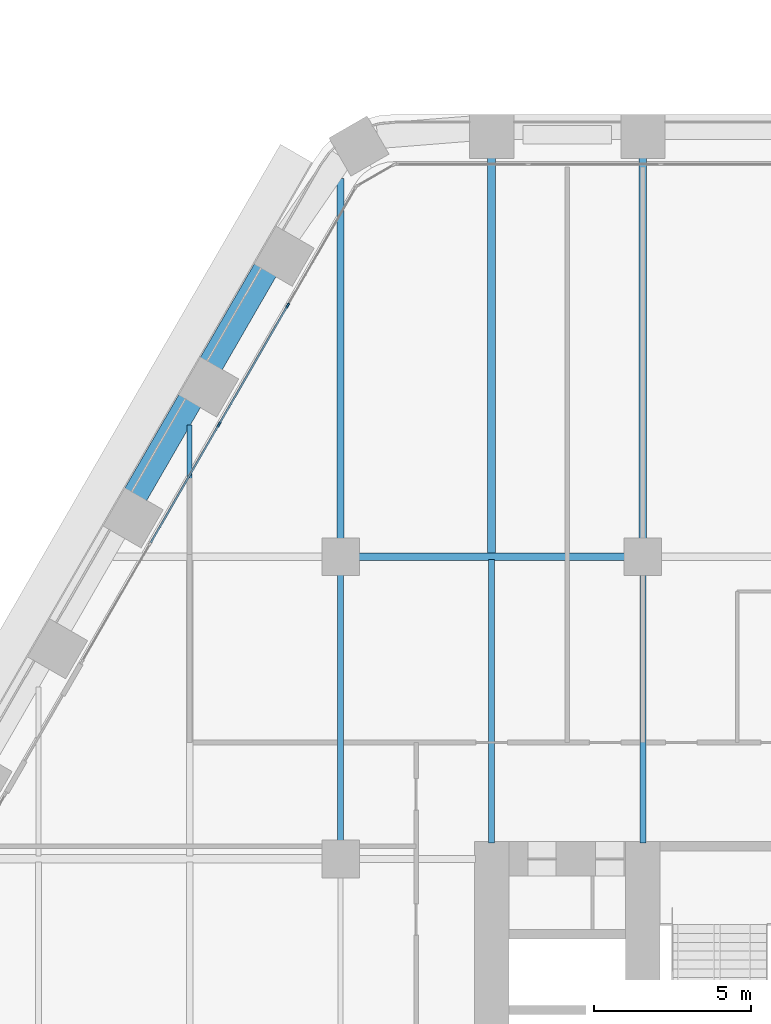
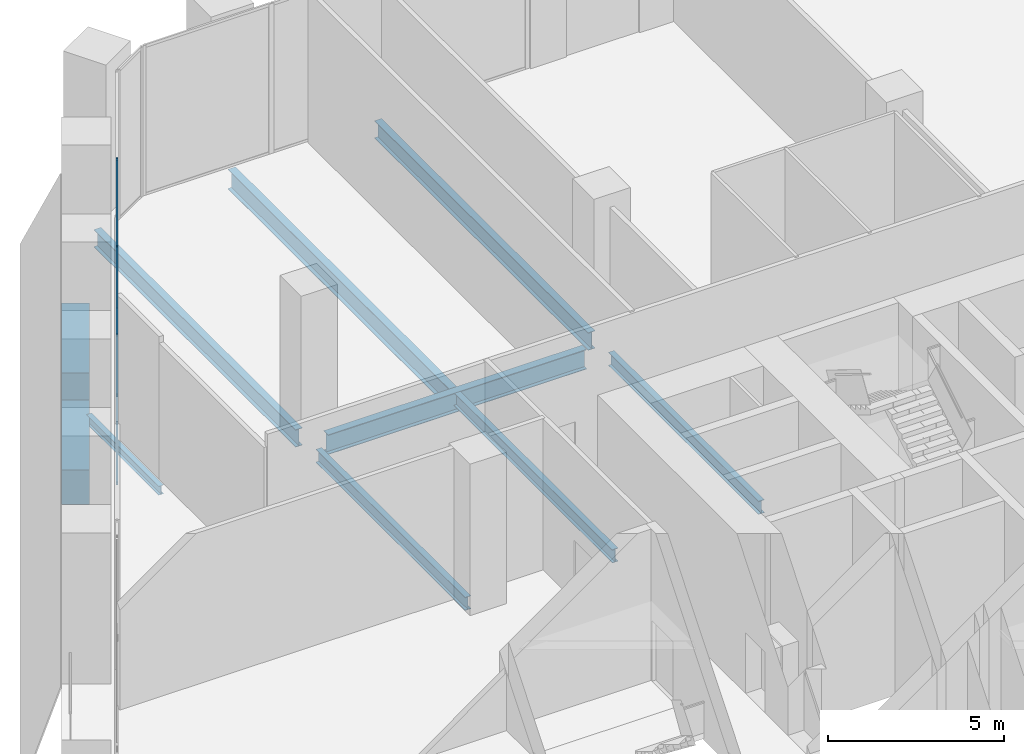
# One storey, part 9 of 29: 10 beams, 6 members, 1 element without a shape of its own.
"""IFC4 building model written with IfcOpenShell, lengths in metres."""

import ifcopenshell
import ifcopenshell.guid

model = None  # the IFC model being written
_history = None  # IfcOwnerHistory: only IFC2X3 demands one
_inside = {}  # id of a spatial element -> (the spatial element, [elements in it])
_under = {}  # id of a project, library or spatial element -> (it, [spatial elements below it])
_declared = {}  # id of a project -> (the project, [libraries it declares])
_typed = {}  # id of a type object -> (the type object, [elements of that type])
_made_of = {}  # id of a material, layer set ... -> (it, [elements and type objects made of it])


def new_model(schema):
    """Start an empty IFC model of exactly this schema.

    Asked for "IFC4X3", IfcOpenShell would pick the latest addendum, in which some entities
    have other attributes; the version numbers below select the first issue.
    IFC2X3 requires an IfcOwnerHistory on every rooted entity: one is made here for all.
    """
    global model, _history
    if schema == "IFC4X3":
        model = ifcopenshell.file(schema_version=(4, 3, 0, 0))
    else:
        model = ifcopenshell.file(schema=schema)
    _inside.clear()
    _under.clear()
    _declared.clear()
    _typed.clear()
    _made_of.clear()
    _history = None
    if model.schema == "IFC2X3":
        org = make("IfcOrganization", Name="unknown")
        user = make(
            "IfcPersonAndOrganization",
            ThePerson=make("IfcPerson", FamilyName="unknown"),
            TheOrganization=org,
        )
        app = make(
            "IfcApplication",
            ApplicationDeveloper=org,
            Version="unknown",
            ApplicationFullName="unknown",
            ApplicationIdentifier="unknown",
        )
        _history = make(
            "IfcOwnerHistory",
            OwningUser=user,
            OwningApplication=app,
            ChangeAction="ADDED",
            CreationDate=0,
        )
    return model


def make(cls, **values):
    """One entity of the class cls with the attributes given. An attribute that is None is left unset."""
    return model.create_entity(
        cls, **{name: value for name, value in values.items() if value is not None}
    )


def rooted(cls, **values):
    """An entity with a GlobalId (a new one), such as an element, a storey or a relation."""
    return make(cls, GlobalId=ifcopenshell.guid.new(), OwnerHistory=_history, **values)


def si_unit(unit_type, name, prefix=None):
    """IfcSIUnit, for example si_unit("LENGTHUNIT", "METRE", prefix="MILLI")."""
    return make("IfcSIUnit", UnitType=unit_type, Prefix=prefix, Name=name)


def assignment(units):
    """IfcUnitAssignment: the units of a project."""
    return None if units is None else make("IfcUnitAssignment", Units=units)


def point(xyz):
    """IfcCartesianPoint."""
    return None if xyz is None else make("IfcCartesianPoint", Coordinates=xyz)


def direction(xyz):
    """IfcDirection."""
    return None if xyz is None else make("IfcDirection", DirectionRatios=xyz)


def frame(location, z_axis=None, x_axis=None):
    """IfcAxis2Placement3D, a coordinate frame: its origin and axes. An axis left out is left unset."""
    return make(
        "IfcAxis2Placement3D",
        Location=point(location),
        Axis=direction(z_axis),
        RefDirection=direction(x_axis),
    )


def frame_2d(location, x_axis=None):
    """IfcAxis2Placement2D, a coordinate frame in the plane: its origin and x axis."""
    return make(
        "IfcAxis2Placement2D", Location=point(location), RefDirection=direction(x_axis)
    )


def origin():
    """The frame at (0, 0, 0) with its axes left unset."""
    return frame((0.0, 0.0, 0.0))


def origin_2d():
    """The frame at (0, 0) in the plane with its x axis left unset."""
    return frame_2d((0.0, 0.0))


def place(relative_to, where):
    """IfcLocalPlacement: puts the frame where relative to a parent placement (None: the world)."""
    return make(
        "IfcLocalPlacement", PlacementRelTo=relative_to, RelativePlacement=where
    )


def context(
    kind, dimensions, precision=None, world=None, true_north=None, identifier=None
):
    """IfcGeometricRepresentationContext, for example the 3D "Model" context."""
    return make(
        "IfcGeometricRepresentationContext",
        ContextIdentifier=identifier,
        ContextType=kind,
        CoordinateSpaceDimension=dimensions,
        Precision=precision,
        WorldCoordinateSystem=world,
        TrueNorth=true_north,
    )


def subcontext(parent, identifier, kind, view, scale=None):
    """IfcGeometricRepresentationSubContext, for example "Body" below "Model"."""
    return make(
        "IfcGeometricRepresentationSubContext",
        ContextIdentifier=identifier,
        ContextType=kind,
        ParentContext=parent,
        TargetScale=scale,
        TargetView=view,
    )


def project(units=None, contexts=None):
    """IfcProject with its units and contexts."""
    return rooted(
        "IfcProject",
        Name="project",
        RepresentationContexts=contexts,
        UnitsInContext=assignment(units),
    )


def spatial(cls, under=None, at=None, **own):
    """A site, building, storey or space (cls), placed at a placement, below another one or the project."""
    s = rooted(cls, ObjectPlacement=at, **own)
    if under is not None:
        _under.setdefault(under.id(), (under, []))[1].append(s)
    return s


def profile(cls, at=None, kind="AREA", **sizes):
    """A parametric profile (cls). Its sizes go by their IFC names, for example OverallWidth=200.0."""
    return make(cls, ProfileType=kind, Position=at, **sizes)


def rectangle(**sizes):
    """IfcRectangleProfileDef."""
    return profile("IfcRectangleProfileDef", **sizes)


def i_section(**sizes):
    """IfcIShapeProfileDef."""
    return profile("IfcIShapeProfileDef", **sizes)


def extrude(swept, where, along, depth):
    """IfcExtrudedAreaSolid: the profile swept, set in the frame where, extruded along a direction by depth."""
    return make(
        "IfcExtrudedAreaSolid",
        SweptArea=swept,
        Position=where,
        ExtrudedDirection=direction(along),
        Depth=depth,
    )


def shape(context_of_items, identifier, shape_type, items):
    """IfcShapeRepresentation: the items that make up one representation, for example the "Body"."""
    return make(
        "IfcShapeRepresentation",
        ContextOfItems=context_of_items,
        RepresentationIdentifier=identifier,
        RepresentationType=shape_type,
        Items=items,
    )


def material(Name=None, Category=None):
    """IfcMaterial."""
    return make("IfcMaterial", Name=Name, Category=Category)


def material_profile(
    of_material, cross_section, Name=None, Category=None, Priority=None
):
    """IfcMaterialProfile: a cross section and its material."""
    return make(
        "IfcMaterialProfile",
        Name=Name,
        Material=of_material,
        Profile=cross_section,
        Priority=Priority,
        Category=Category,
    )


def profile_set(profiles, Name=None, composite=None):
    """IfcMaterialProfileSet."""
    return make(
        "IfcMaterialProfileSet",
        Name=Name,
        MaterialProfiles=profiles,
        CompositeProfile=composite,
    )


def made_of(thing, what):
    """Note that an element or type object is made of a material, layer set ...; save() writes the relation."""
    if what is not None:
        _made_of.setdefault(what.id(), (what, []))[1].append(thing)
    return thing


def type_object(cls, material=None, **own):
    """A type object (cls), such as IfcWallType, which elements share."""
    return made_of(rooted(cls, **own), material)


def element(
    cls,
    number,
    at=None,
    inside=None,
    cuts=None,
    type_object=None,
    material=None,
    context=None,
    identifier="Body",
    shape_type=None,
    held_by="IfcProductDefinitionShape",
    body=None,
    shapes=None,
    **own,
):
    """One element of the class cls, such as IfcWall. Its Tag is "e" and its number.

    at: its placement. inside: the storey or other place that contains it. cuts: it is an
    opening in that element (IfcRelVoidsElement). A single representation is given by context,
    identifier, shape_type and body (its items); several are given by shapes. held_by: the class
    of the entity that holds the representations. save() writes the other relations.
    """
    e = rooted(cls, Tag="e%d" % number, ObjectPlacement=at, **own)
    if body is not None:
        shapes = [shape(context, identifier, shape_type, body)]
    if shapes is not None:
        e.Representation = make(held_by, Representations=shapes)
    if inside is not None:
        _inside.setdefault(inside.id(), (inside, []))[1].append(e)
    if cuts is not None:
        rooted(
            "IfcRelVoidsElement", RelatingBuildingElement=cuts, RelatedOpeningElement=e
        )
    if type_object is not None:
        _typed.setdefault(type_object.id(), (type_object, []))[1].append(e)
    return made_of(e, material)


def aggregate(whole, parts):
    """IfcRelAggregates: a whole, such as a stair, and the parts it consists of."""
    return rooted("IfcRelAggregates", RelatingObject=whole, RelatedObjects=parts)


def save(model, path):
    """Write the relations noted so far, then the file.

    IfcRelAggregates (storeys below a building ...), IfcRelContainedInSpatialStructure (elements
    in a storey), IfcRelDefinesByType, IfcRelAssociatesMaterial and IfcRelDeclares: one each for
    every whole, place, type object, material and project.
    """
    for whole, parts in _under.values():
        aggregate(whole, parts)
    for where, things in _inside.values():
        rooted(
            "IfcRelContainedInSpatialStructure",
            RelatedElements=things,
            RelatingStructure=where,
        )
    for kind, things in _typed.values():
        rooted("IfcRelDefinesByType", RelatedObjects=things, RelatingType=kind)
    for what, things in _made_of.values():
        rooted("IfcRelAssociatesMaterial", RelatedObjects=things, RelatingMaterial=what)
    for by, libraries in _declared.values():
        rooted("IfcRelDeclares", RelatingContext=by, RelatedDefinitions=libraries)
    model.write(path)


model = new_model("IFC4")

# Units and contexts
model_context = context("Model", 3, precision=1e-05, world=origin(), true_north=direction((0.0, 1.0)))
body_context = subcontext(model_context, "Body", "Model", "MODEL_VIEW")
ifc_project = project(units=[si_unit("LENGTHUNIT", "METRE"), si_unit("AREAUNIT", "SQUARE_METRE"), si_unit("VOLUMEUNIT", "CUBIC_METRE"), si_unit("PLANEANGLEUNIT", "RADIAN"), si_unit("MASSUNIT", "GRAM", prefix="KILO")], contexts=[model_context])

# Site, building, storey
site_placement = place(None, origin())
site = spatial("IfcSite", under=ifc_project, at=site_placement, CompositionType="ELEMENT")
building_placement = place(site_placement, origin())
building = spatial("IfcBuilding", under=site, at=building_placement, Name="Kolab Exchange Tower", CompositionType="ELEMENT")
storey_placement = place(building_placement, frame((0.0, 0.0, 55.39990234375)))
storey = spatial("IfcBuildingStorey", under=building, at=storey_placement, Name="L10", CompositionType="ELEMENT", Elevation=55.39990234375)

# Beams
ifc_material_1 = material(Name="Steel S355", Category="steel")
ifc_material_profile_1 = material_profile(ifc_material_1, i_section(OverallWidth=0.1650390625, OverallDepth=0.31005859375, WebThickness=0.005859375, FlangeThickness=0.009765625, at=origin_2d()), Name="W310X39")
ifc_profile_set_1 = profile_set([ifc_material_profile_1], Name="Steel S355")
beam_type_1 = type_object("IfcBeamType", Name="FLOOR BEAM W310X39", PredefinedType="BEAM", material=ifc_profile_set_1)
beam_1_placement = place(storey_placement, frame((-24.0, 19.27392578125, -0.40478515625), z_axis=(0.0, 1.0, 0.0), x_axis=(-1.0, 0.0, 0.0)))
element("IfcBeam", 1, at=beam_1_placement, inside=storey, type_object=beam_type_1, Name="beam/L10/fr/011", PredefinedType="BEAM", context=body_context, shape_type="SweptSolid", body=[
    extrude(i_section(OverallWidth=0.1650390625, OverallDepth=0.31005859375, WebThickness=0.005859375, FlangeThickness=0.009765625, at=origin_2d()), origin(), (0.0, 0.0, 1.0), 4.107666015625),
])
ifc_material_profile_2 = material_profile(ifc_material_1, i_section(OverallWidth=0.18994140625, OverallDepth=0.45703125, WebThickness=0.009033203125, FlangeThickness=0.014404296875, at=origin_2d()), Name="W460X74")
ifc_profile_set_2 = profile_set([ifc_material_profile_2], Name="Steel S355")
beam_type_2 = type_object("IfcBeamType", Name="FLOOR BEAM W460X74", PredefinedType="BEAM", material=ifc_profile_set_2)
beam_2_placement = place(storey_placement, frame((-19.199951171875, 10.159912109375, -0.478515625), z_axis=(0.0, 1.0, 0.0), x_axis=(-1.0, 0.0, 0.0)))
element("IfcBeam", 2, at=beam_2_placement, inside=storey, type_object=beam_type_2, Name="beam/L10/fr/016", PredefinedType="BEAM", context=body_context, shape_type="SweptSolid", body=[
    extrude(i_section(OverallWidth=0.18994140625, OverallDepth=0.45703125, WebThickness=0.009033203125, FlangeThickness=0.014404296875, at=origin_2d()), origin(), (0.0, 0.0, 1.0), 8.47998046875),
])
beam_3_placement = place(storey_placement, frame((-14.39990234375, 10.110107421875, -0.478515625), z_axis=(0.0, 1.0, 0.0), x_axis=(-1.0, 0.0, 0.0)))
element("IfcBeam", 3, at=beam_3_placement, inside=storey, type_object=beam_type_2, Name="beam/L10/fr/020", PredefinedType="BEAM", context=body_context, shape_type="SweptSolid", body=[
    extrude(i_section(OverallWidth=0.18994140625, OverallDepth=0.45703125, WebThickness=0.009033203125, FlangeThickness=0.014404296875, at=origin_2d()), origin(), (0.0, 0.0, 1.0), 9.0029296875),
])
beam_4_placement = place(storey_placement, frame((-9.60009765625, 10.110107421875, -0.478515625), z_axis=(0.0, 1.0, 0.0), x_axis=(-1.0, 0.0, 0.0)))
element("IfcBeam", 4, at=beam_4_placement, inside=storey, type_object=beam_type_2, Name="beam/L10/fr/024", PredefinedType="BEAM", context=body_context, shape_type="SweptSolid", body=[
    extrude(i_section(OverallWidth=0.18994140625, OverallDepth=0.45703125, WebThickness=0.009033203125, FlangeThickness=0.014404296875, at=origin_2d()), origin(), (0.0, 0.0, 1.0), 8.52978515625),
])
ifc_material_profile_3 = material_profile(ifc_material_1, i_section(OverallWidth=0.22802734375, OverallDepth=0.60791015625, WebThickness=0.01123046875, FlangeThickness=0.017333984375, at=origin_2d()), Name="W610X113")
ifc_profile_set_3 = profile_set([ifc_material_profile_3], Name="Steel S355")
beam_type_3 = type_object("IfcBeamType", Name="FLOOR BEAM W610X113", PredefinedType="BEAM", material=ifc_profile_set_3)
beam_5_placement = place(storey_placement, frame((-19.199951171875, 19.760009765625, -0.553955078125), z_axis=(0.0, 1.0, 0.0), x_axis=(-1.0, 0.0, 0.0)))
element("IfcBeam", 5, at=beam_5_placement, inside=storey, type_object=beam_type_3, Name="beam/L10/fr/017", PredefinedType="BEAM", context=body_context, shape_type="SweptSolid", body=[
    extrude(i_section(OverallWidth=0.22802734375, OverallDepth=0.60791015625, WebThickness=0.01123046875, FlangeThickness=0.017333984375, at=origin_2d()), origin(), (0.0, 0.0, 1.0), 11.45458984375),
])
beam_6_placement = place(storey_placement, frame((-9.60009765625, 19.760009765625, -0.553955078125), z_axis=(0.0, 1.0, 0.0), x_axis=(-1.0, 0.0, 0.0)))
element("IfcBeam", 6, at=beam_6_placement, inside=storey, type_object=beam_type_3, Name="beam/L10/fr/025", PredefinedType="BEAM", context=body_context, shape_type="SweptSolid", body=[
    extrude(i_section(OverallWidth=0.22802734375, OverallDepth=0.60791015625, WebThickness=0.01123046875, FlangeThickness=0.017333984375, at=origin_2d()), origin(), (0.0, 0.0, 1.0), 12.135498046875),
])
ifc_material_profile_4 = material_profile(ifc_material_1, i_section(OverallWidth=0.25390625, OverallDepth=0.68408203125, WebThickness=0.012451171875, FlangeThickness=0.018798828125, at=origin_2d()), Name="W690X140")
ifc_profile_set_4 = profile_set([ifc_material_profile_4], Name="Steel S355")
beam_type_4 = type_object("IfcBeamType", Name="FLOOR BEAM W690X140", PredefinedType="BEAM", material=ifc_profile_set_4)
beam_7_placement = place(storey_placement, frame((-14.39990234375, 19.287109375, -0.591796875), z_axis=(0.0, 1.0, 0.0), x_axis=(-1.0, 0.0, 0.0)))
element("IfcBeam", 7, at=beam_7_placement, inside=storey, type_object=beam_type_4, Name="beam/L10/fr/021", PredefinedType="BEAM", context=body_context, shape_type="SweptSolid", body=[
    extrude(i_section(OverallWidth=0.25390625, OverallDepth=0.68408203125, WebThickness=0.012451171875, FlangeThickness=0.018798828125, at=origin_2d()), origin(), (0.0, 0.0, 1.0), 12.6083984375),
])
ifc_material_profile_5 = material_profile(ifc_material_1, i_section(OverallWidth=0.25390625, OverallDepth=0.68408203125, WebThickness=0.012451171875, FlangeThickness=0.018798828125, at=origin_2d()), Name="W690X140")
ifc_profile_set_5 = profile_set([ifc_material_profile_5], Name="Steel S355")
beam_type_5 = type_object("IfcBeamType", Name="FLOOR GIRDER W690X140", PredefinedType="BEAM", material=ifc_profile_set_5)
beam_8_placement = place(storey_placement, frame((-18.639892578125, 19.199951171875, -0.591796875), z_axis=(1.0, 0.0, 0.0), x_axis=(0.0, 1.0, 0.0)))
element("IfcBeam", 8, at=beam_8_placement, inside=storey, type_object=beam_type_5, Name="beam/L10/gd/009", PredefinedType="BEAM", context=body_context, shape_type="SweptSolid", body=[
    extrude(i_section(OverallWidth=0.25390625, OverallDepth=0.68408203125, WebThickness=0.012451171875, FlangeThickness=0.018798828125, at=origin_2d()), origin(), (0.0, 0.0, 1.0), 8.47998046875),
])
ifc_material_2 = material(Name="Concrete C80/95", Category="concrete")
ifc_material_profile_6 = material_profile(ifc_material_2, rectangle(XDim=0.800048828125, YDim=1.199951171875, at=origin_2d()), Name="RC800X1200")
ifc_profile_set_6 = profile_set([ifc_material_profile_6], Name="Concrete C80/95")
beam_type_6 = type_object("IfcBeamType", Name="SPANDREL BEAM 800X1200 C80/95", PredefinedType="BEAM", material=ifc_profile_set_6)
beam_9_placement = place(storey_placement, frame((-25.7236328125, 21.15625, -0.849853515625), z_axis=(0.500009906705, 0.86601968407, 0.0), x_axis=(-0.86601968407, 0.500009906705, 0.0)))
element("IfcBeam", 9, at=beam_9_placement, inside=storey, type_object=beam_type_6, Name="beam/L10/sp/F6-06", PredefinedType="BEAM", context=body_context, shape_type="SweptSolid", body=[
    extrude(rectangle(XDim=0.800048828125, YDim=1.199951171875, at=origin_2d()), origin(), (0.0, 0.0, 1.0), 3.47998046875),
])
beam_10_placement = place(storey_placement, frame((-23.323486328125, 25.31298828125, -0.849853515625), z_axis=(0.499979528911, 0.866037222451, 0.0), x_axis=(-0.866037222451, 0.499979528911, 0.0)))
element("IfcBeam", 10, at=beam_10_placement, inside=storey, type_object=beam_type_6, Name="beam/L10/sp/F6-07", PredefinedType="BEAM", context=body_context, shape_type="SweptSolid", body=[
    extrude(rectangle(XDim=0.800048828125, YDim=1.199951171875, at=origin_2d()), origin(), (0.0, 0.0, 1.0), 3.480224609375),
])

# Curtain wall, members
ifc_material_3 = material(Name="Aluminium EN AW-6063 T6", Category="aluminium")
curtain_wall_type = type_object("IfcCurtainWallType", Name="UNITISED LOW ZONE CURTAIN WALL", PredefinedType="NOTDEFINED", material=ifc_material_3)
curtain_wall_placement = place(storey_placement, origin())
curtain_wall = element("IfcCurtainWall", 11, at=curtain_wall_placement, inside=storey, type_object=curtain_wall_type, Name="cw/L10/F6-2", PredefinedType="NOTDEFINED")
ifc_material_profile_7 = material_profile(ifc_material_3, rectangle(XDim=0.06005859375, YDim=0.159912109375, at=origin_2d()), Name="RECT 60X160")
ifc_profile_set_7 = profile_set([ifc_material_profile_7], Name="Aluminium EN AW-6063 T6")
member_type_1 = type_object("IfcMemberType", Name="UNITISED LOW ZONE MULLION 60 X 160", PredefinedType="MULLION", material=ifc_profile_set_7)
member_1_placement = place(storey_placement, frame((-23.064697265625, 23.401611328125, 0.0), z_axis=(0.0, 0.0, 1.0), x_axis=(-0.866025397318, 0.5000000112, 0.0)))
member_1 = element("IfcMember", 12, at=member_1_placement, type_object=member_type_1, Name="CW1 mullion 3", PredefinedType="MULLION", context=body_context, shape_type="SweptSolid", body=[
    extrude(rectangle(XDim=0.06005859375, YDim=0.159912109375, at=origin_2d()), origin(), (0.0, 0.0, 1.0), 5.2001953125),
])
member_2_placement = place(storey_placement, frame((-20.881103515625, 27.183349609375, 0.0), z_axis=(0.0, 0.0, 1.0), x_axis=(-0.866025397318, 0.5000000112, 0.0)))
member_2 = element("IfcMember", 13, at=member_2_placement, type_object=member_type_1, Name="CW1 mullion 4", PredefinedType="MULLION", context=body_context, shape_type="SweptSolid", body=[
    extrude(rectangle(XDim=0.06005859375, YDim=0.159912109375, at=origin_2d()), origin(), (0.0, 0.0, 1.0), 5.2001953125),
])
ifc_material_profile_8 = material_profile(ifc_material_3, rectangle(XDim=0.06005859375, YDim=0.10009765625, at=origin_2d()), Name="RECT 60X100")
ifc_profile_set_8 = profile_set([ifc_material_profile_8], Name="Aluminium EN AW-6063 T6")
member_type_2 = type_object("IfcMemberType", Name="UNITISED LOW ZONE TRANSOM 60 X 100", PredefinedType="USERDEFINED", material=ifc_profile_set_8)
member_3_placement = place(storey_placement, frame((-25.233154296875, 19.6455078125, 0.030029296875), z_axis=(0.500010313095, 0.866019449435, 0.0), x_axis=(-0.866019449435, 0.500010313095, 0.0)))
member_3 = element("IfcMember", 14, at=member_3_placement, type_object=member_type_2, Name="CW1 transom 2.1", ObjectType="TRANSOM", PredefinedType="USERDEFINED", context=body_context, shape_type="SweptSolid", body=[
    extrude(rectangle(XDim=0.06005859375, YDim=0.10009765625, at=origin_2d()), origin(), (0.0, 0.0, 1.0), 4.30712890625),
])
member_4_placement = place(storey_placement, frame((-25.233154296875, 19.6455078125, 5.170166015625), z_axis=(0.500010313095, 0.866019449435, 0.0), x_axis=(-0.866019449435, 0.500010313095, 0.0)))
member_4 = element("IfcMember", 15, at=member_4_placement, type_object=member_type_2, Name="CW1 transom 2.2", ObjectType="TRANSOM", PredefinedType="USERDEFINED", context=body_context, shape_type="SweptSolid", body=[
    extrude(rectangle(XDim=0.06005859375, YDim=0.10009765625, at=origin_2d()), origin(), (0.0, 0.0, 1.0), 4.30712890625),
])
member_5_placement = place(storey_placement, frame((-23.0498046875, 23.427490234375, 0.030029296875), z_axis=(0.500010313095, 0.866019449435, 0.0), x_axis=(-0.866019449435, 0.500010313095, 0.0)))
member_5 = element("IfcMember", 16, at=member_5_placement, type_object=member_type_2, Name="CW1 transom 3.1", ObjectType="TRANSOM", PredefinedType="USERDEFINED", context=body_context, shape_type="SweptSolid", body=[
    extrude(rectangle(XDim=0.06005859375, YDim=0.10009765625, at=origin_2d()), origin(), (0.0, 0.0, 1.0), 4.30712890625),
])
member_6_placement = place(storey_placement, frame((-23.0498046875, 23.427490234375, 5.170166015625), z_axis=(0.500010313095, 0.866019449435, 0.0), x_axis=(-0.866019449435, 0.500010313095, 0.0)))
member_6 = element("IfcMember", 17, at=member_6_placement, type_object=member_type_2, Name="CW1 transom 3.2", ObjectType="TRANSOM", PredefinedType="USERDEFINED", context=body_context, shape_type="SweptSolid", body=[
    extrude(rectangle(XDim=0.06005859375, YDim=0.10009765625, at=origin_2d()), origin(), (0.0, 0.0, 1.0), 4.30712890625),
])
aggregate(curtain_wall, [member_1, member_2, member_3, member_4, member_5, member_6])

save(model, "model.ifc")
